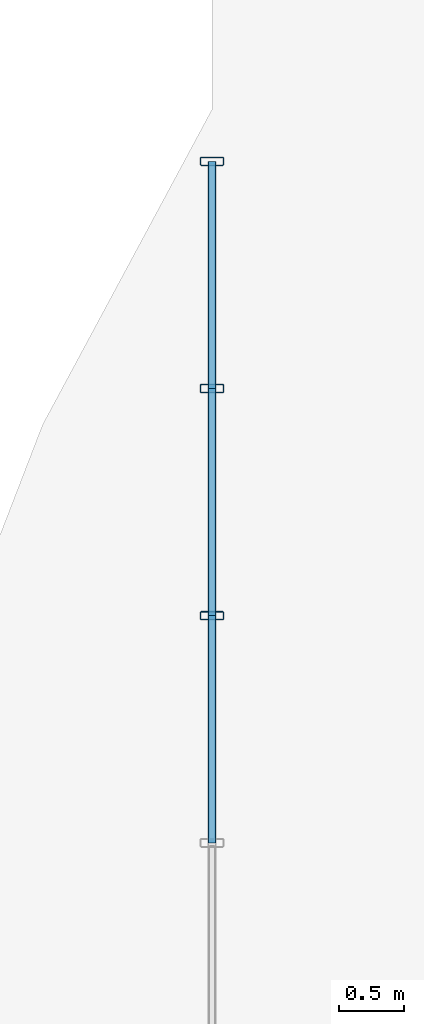
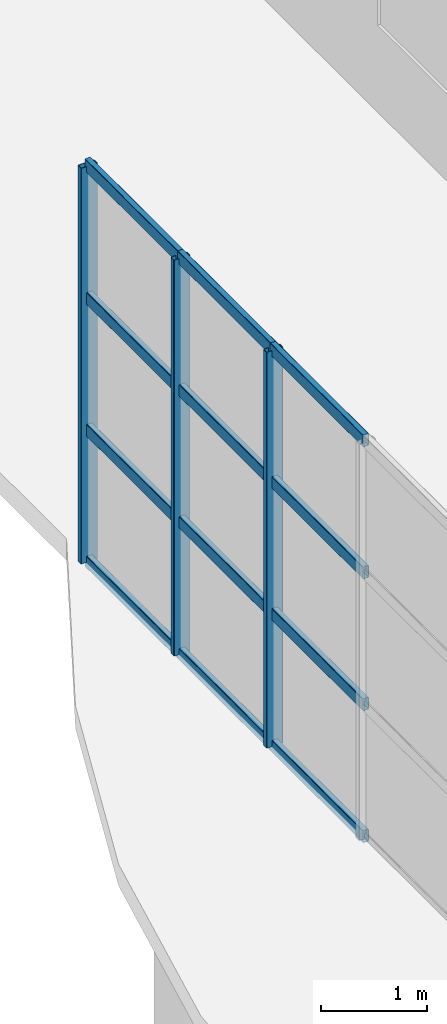
# One storey, part 50 of 101: 15 members, 1 element without a shape of its own.
"""IFC4 building model written with IfcOpenShell, lengths in metres."""

from ifc_helpers import new_model, si_unit, derived_unit, direction, frame, origin, origin_2d, place, context, subcontext, project, spatial, hollow_rectangle, extrude, material, material_profile, profile_set, type_object, element, aggregate, save


model = new_model("IFC4")

# Units and contexts
model_context = context("Model", 3, precision=1e-05, world=origin(), true_north=direction((0.0, 1.0)))
body_context = subcontext(model_context, "Body", "Model", "MODEL_VIEW")
ifc_project = project(units=[si_unit("LENGTHUNIT", "METRE"), si_unit("AREAUNIT", "SQUARE_METRE"), si_unit("VOLUMEUNIT", "CUBIC_METRE"), si_unit("PLANEANGLEUNIT", "RADIAN"), si_unit("MASSUNIT", "GRAM", prefix="KILO"), derived_unit("THERMALTRANSMITTANCEUNIT", [(si_unit("POWERUNIT", "WATT"), 1), (si_unit("LENGTHUNIT", "METRE"), -2), (si_unit("THERMODYNAMICTEMPERATUREUNIT", "KELVIN"), -1)])], contexts=[model_context])

# Site, building, storey
site_placement = place(None, origin())
site = spatial("IfcSite", under=ifc_project, at=site_placement, CompositionType="ELEMENT")
building_placement = place(site_placement, origin())
building = spatial("IfcBuilding", under=site, at=building_placement, Name="Keldorne Ridge Multi-Sports Centre", CompositionType="ELEMENT")
storey_placement = place(building_placement, origin())
storey = spatial("IfcBuildingStorey", under=building, at=storey_placement, Name="L00", CompositionType="ELEMENT", Elevation=0.0)

# Curtain wall, members
ifc_material = material(Name="Anodized aluminium", Category="aluminium")
curtain_wall_type = type_object("IfcCurtainWallType", Name="CW-CW-03", PredefinedType="NOTDEFINED", material=ifc_material)
curtain_wall_placement = place(storey_placement, origin())
curtain_wall = element("IfcCurtainWall", 1, at=curtain_wall_placement, inside=storey, type_object=curtain_wall_type, Name="Passage west courtyard curtain wall L00 083", PredefinedType="NOTDEFINED")
ifc_material_profile_1 = material_profile(ifc_material, hollow_rectangle(XDim=0.06494140625, YDim=0.179931640625, WallThickness=0.00439453125, InnerFilletRadius=0.00439453125, OuterFilletRadius=0.009033203125, at=origin_2d()), Name="ALU MULLION 180x65x4.5")
ifc_profile_set_1 = profile_set([ifc_material_profile_1], Name="Anodized aluminium")
member_type_1 = type_object("IfcMemberType", Name="MEM-ML-01", PredefinedType="MULLION", material=ifc_profile_set_1)
member_1_placement = place(storey_placement, frame((78.0, 73.60009765625, 0.0), z_axis=(0.0, 0.0, 1.0), x_axis=(0.0, 1.0, 0.0)))
member_1 = element("IfcMember", 2, at=member_1_placement, type_object=member_type_1, Name="CW-083 vertical mullion 1", PredefinedType="MULLION", context=body_context, shape_type="SweptSolid", body=[
    extrude(hollow_rectangle(XDim=0.06494140625, YDim=0.179931640625, WallThickness=0.00439453125, InnerFilletRadius=0.00439453125, OuterFilletRadius=0.009033203125, at=origin_2d()), origin(), (0.0, 0.0, 1.0), 4.550048828125),
])
member_2_placement = place(storey_placement, frame((78.0, 71.8544921875, 0.0), z_axis=(0.0, 0.0, 1.0), x_axis=(0.0, 1.0, 0.0)))
member_2 = element("IfcMember", 3, at=member_2_placement, type_object=member_type_1, Name="CW-083 vertical mullion 2", PredefinedType="MULLION", context=body_context, shape_type="SweptSolid", body=[
    extrude(hollow_rectangle(XDim=0.06494140625, YDim=0.179931640625, WallThickness=0.00439453125, InnerFilletRadius=0.00439453125, OuterFilletRadius=0.009033203125, at=origin_2d()), origin(), (0.0, 0.0, 1.0), 4.550048828125),
])
member_3_placement = place(storey_placement, frame((78.0, 70.109130859375, 0.0), z_axis=(0.0, 0.0, 1.0), x_axis=(0.0, 1.0, 0.0)))
member_3 = element("IfcMember", 4, at=member_3_placement, type_object=member_type_1, Name="CW-083 vertical mullion 3", PredefinedType="MULLION", context=body_context, shape_type="SweptSolid", body=[
    extrude(hollow_rectangle(XDim=0.06494140625, YDim=0.179931640625, WallThickness=0.00439453125, InnerFilletRadius=0.00439453125, OuterFilletRadius=0.009033203125, at=origin_2d()), origin(), (0.0, 0.0, 1.0), 4.550048828125),
])
ifc_material_profile_2 = material_profile(ifc_material, hollow_rectangle(XDim=0.06494140625, YDim=0.139892578125, WallThickness=0.00439453125, InnerFilletRadius=0.00439453125, OuterFilletRadius=0.009033203125, at=origin_2d()), Name="ALU TRANSOM 140x65x4.5")
ifc_profile_set_2 = profile_set([ifc_material_profile_2], Name="Anodized aluminium")
member_type_2 = type_object("IfcMemberType", Name="MEM-TR-01", PredefinedType="USERDEFINED", material=ifc_profile_set_2)
member_4_placement = place(storey_placement, frame((78.0, 73.60009765625, 0.0), z_axis=(0.0, -1.0, 0.0), x_axis=(1.0, 0.0, 0.0)))
member_4 = element("IfcMember", 5, at=member_4_placement, type_object=member_type_2, Name="CW-083 transom 1.1", ObjectType="TRANSOM", PredefinedType="USERDEFINED", context=body_context, shape_type="SweptSolid", body=[
    extrude(hollow_rectangle(XDim=0.06494140625, YDim=0.139892578125, WallThickness=0.00439453125, InnerFilletRadius=0.00439453125, OuterFilletRadius=0.009033203125, at=origin_2d()), origin(), (0.0, 0.0, 1.0), 1.74560546875),
])
member_5_placement = place(storey_placement, frame((78.0, 73.60009765625, 1.5166015625), z_axis=(0.0, -1.0, 0.0), x_axis=(1.0, 0.0, 0.0)))
member_5 = element("IfcMember", 6, at=member_5_placement, type_object=member_type_2, Name="CW-083 transom 1.2", ObjectType="TRANSOM", PredefinedType="USERDEFINED", context=body_context, shape_type="SweptSolid", body=[
    extrude(hollow_rectangle(XDim=0.06494140625, YDim=0.139892578125, WallThickness=0.00439453125, InnerFilletRadius=0.00439453125, OuterFilletRadius=0.009033203125, at=origin_2d()), origin(), (0.0, 0.0, 1.0), 1.74560546875),
])
member_6_placement = place(storey_placement, frame((78.0, 73.60009765625, 3.033203125), z_axis=(0.0, -1.0, 0.0), x_axis=(1.0, 0.0, 0.0)))
member_6 = element("IfcMember", 7, at=member_6_placement, type_object=member_type_2, Name="CW-083 transom 1.3", ObjectType="TRANSOM", PredefinedType="USERDEFINED", context=body_context, shape_type="SweptSolid", body=[
    extrude(hollow_rectangle(XDim=0.06494140625, YDim=0.139892578125, WallThickness=0.00439453125, InnerFilletRadius=0.00439453125, OuterFilletRadius=0.009033203125, at=origin_2d()), origin(), (0.0, 0.0, 1.0), 1.74560546875),
])
member_7_placement = place(storey_placement, frame((78.0, 73.60009765625, 4.550048828125), z_axis=(0.0, -1.0, 0.0), x_axis=(1.0, 0.0, 0.0)))
member_7 = element("IfcMember", 8, at=member_7_placement, type_object=member_type_2, Name="CW-083 transom 1.4", ObjectType="TRANSOM", PredefinedType="USERDEFINED", context=body_context, shape_type="SweptSolid", body=[
    extrude(hollow_rectangle(XDim=0.06494140625, YDim=0.139892578125, WallThickness=0.00439453125, InnerFilletRadius=0.00439453125, OuterFilletRadius=0.009033203125, at=origin_2d()), origin(), (0.0, 0.0, 1.0), 1.74560546875),
])
member_8_placement = place(storey_placement, frame((78.0, 71.8544921875, 0.0), z_axis=(0.0, -1.0, 0.0), x_axis=(1.0, 0.0, 0.0)))
member_8 = element("IfcMember", 9, at=member_8_placement, type_object=member_type_2, Name="CW-083 transom 2.1", ObjectType="TRANSOM", PredefinedType="USERDEFINED", context=body_context, shape_type="SweptSolid", body=[
    extrude(hollow_rectangle(XDim=0.06494140625, YDim=0.139892578125, WallThickness=0.00439453125, InnerFilletRadius=0.00439453125, OuterFilletRadius=0.009033203125, at=origin_2d()), origin(), (0.0, 0.0, 1.0), 1.745361328125),
])
member_9_placement = place(storey_placement, frame((78.0, 71.8544921875, 1.5166015625), z_axis=(0.0, -1.0, 0.0), x_axis=(1.0, 0.0, 0.0)))
member_9 = element("IfcMember", 10, at=member_9_placement, type_object=member_type_2, Name="CW-083 transom 2.2", ObjectType="TRANSOM", PredefinedType="USERDEFINED", context=body_context, shape_type="SweptSolid", body=[
    extrude(hollow_rectangle(XDim=0.06494140625, YDim=0.139892578125, WallThickness=0.00439453125, InnerFilletRadius=0.00439453125, OuterFilletRadius=0.009033203125, at=origin_2d()), origin(), (0.0, 0.0, 1.0), 1.745361328125),
])
member_10_placement = place(storey_placement, frame((78.0, 71.8544921875, 3.033203125), z_axis=(0.0, -1.0, 0.0), x_axis=(1.0, 0.0, 0.0)))
member_10 = element("IfcMember", 11, at=member_10_placement, type_object=member_type_2, Name="CW-083 transom 2.3", ObjectType="TRANSOM", PredefinedType="USERDEFINED", context=body_context, shape_type="SweptSolid", body=[
    extrude(hollow_rectangle(XDim=0.06494140625, YDim=0.139892578125, WallThickness=0.00439453125, InnerFilletRadius=0.00439453125, OuterFilletRadius=0.009033203125, at=origin_2d()), origin(), (0.0, 0.0, 1.0), 1.745361328125),
])
member_11_placement = place(storey_placement, frame((78.0, 71.8544921875, 4.550048828125), z_axis=(0.0, -1.0, 0.0), x_axis=(1.0, 0.0, 0.0)))
member_11 = element("IfcMember", 12, at=member_11_placement, type_object=member_type_2, Name="CW-083 transom 2.4", ObjectType="TRANSOM", PredefinedType="USERDEFINED", context=body_context, shape_type="SweptSolid", body=[
    extrude(hollow_rectangle(XDim=0.06494140625, YDim=0.139892578125, WallThickness=0.00439453125, InnerFilletRadius=0.00439453125, OuterFilletRadius=0.009033203125, at=origin_2d()), origin(), (0.0, 0.0, 1.0), 1.745361328125),
])
member_12_placement = place(storey_placement, frame((78.0, 70.109130859375, 0.0), z_axis=(0.0, -1.0, 0.0), x_axis=(1.0, 0.0, 0.0)))
member_12 = element("IfcMember", 13, at=member_12_placement, type_object=member_type_2, Name="CW-083 transom 3.1", ObjectType="TRANSOM", PredefinedType="USERDEFINED", context=body_context, shape_type="SweptSolid", body=[
    extrude(hollow_rectangle(XDim=0.06494140625, YDim=0.139892578125, WallThickness=0.00439453125, InnerFilletRadius=0.00439453125, OuterFilletRadius=0.009033203125, at=origin_2d()), origin(), (0.0, 0.0, 1.0), 1.74560546875),
])
member_13_placement = place(storey_placement, frame((78.0, 70.109130859375, 1.5166015625), z_axis=(0.0, -1.0, 0.0), x_axis=(1.0, 0.0, 0.0)))
member_13 = element("IfcMember", 14, at=member_13_placement, type_object=member_type_2, Name="CW-083 transom 3.2", ObjectType="TRANSOM", PredefinedType="USERDEFINED", context=body_context, shape_type="SweptSolid", body=[
    extrude(hollow_rectangle(XDim=0.06494140625, YDim=0.139892578125, WallThickness=0.00439453125, InnerFilletRadius=0.00439453125, OuterFilletRadius=0.009033203125, at=origin_2d()), origin(), (0.0, 0.0, 1.0), 1.74560546875),
])
member_14_placement = place(storey_placement, frame((78.0, 70.109130859375, 3.033203125), z_axis=(0.0, -1.0, 0.0), x_axis=(1.0, 0.0, 0.0)))
member_14 = element("IfcMember", 15, at=member_14_placement, type_object=member_type_2, Name="CW-083 transom 3.3", ObjectType="TRANSOM", PredefinedType="USERDEFINED", context=body_context, shape_type="SweptSolid", body=[
    extrude(hollow_rectangle(XDim=0.06494140625, YDim=0.139892578125, WallThickness=0.00439453125, InnerFilletRadius=0.00439453125, OuterFilletRadius=0.009033203125, at=origin_2d()), origin(), (0.0, 0.0, 1.0), 1.74560546875),
])
member_15_placement = place(storey_placement, frame((78.0, 70.109130859375, 4.550048828125), z_axis=(0.0, -1.0, 0.0), x_axis=(1.0, 0.0, 0.0)))
member_15 = element("IfcMember", 16, at=member_15_placement, type_object=member_type_2, Name="CW-083 transom 3.4", ObjectType="TRANSOM", PredefinedType="USERDEFINED", context=body_context, shape_type="SweptSolid", body=[
    extrude(hollow_rectangle(XDim=0.06494140625, YDim=0.139892578125, WallThickness=0.00439453125, InnerFilletRadius=0.00439453125, OuterFilletRadius=0.009033203125, at=origin_2d()), origin(), (0.0, 0.0, 1.0), 1.74560546875),
])
aggregate(curtain_wall, [member_1, member_2, member_3, member_4, member_5, member_6, member_7, member_8, member_9, member_10, member_11, member_12, member_13, member_14, member_15])

save(model, "model.ifc")
